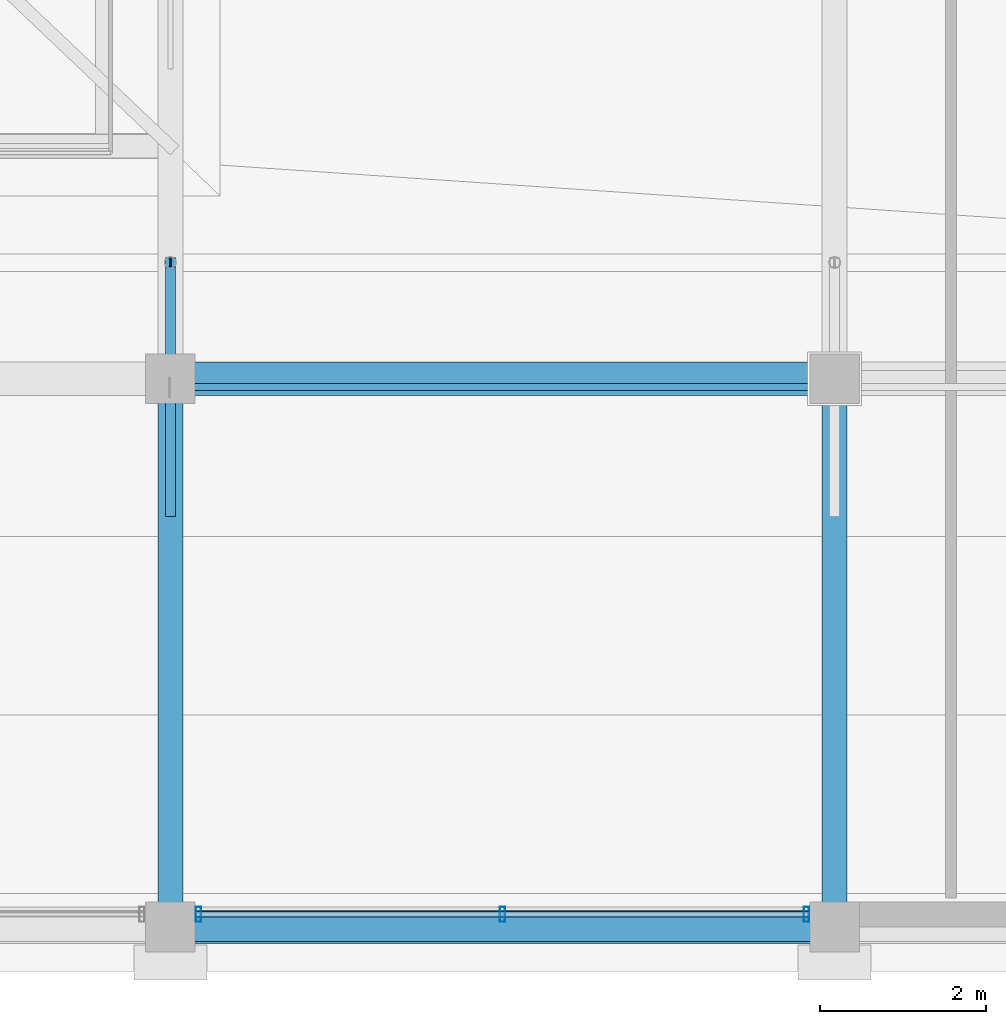
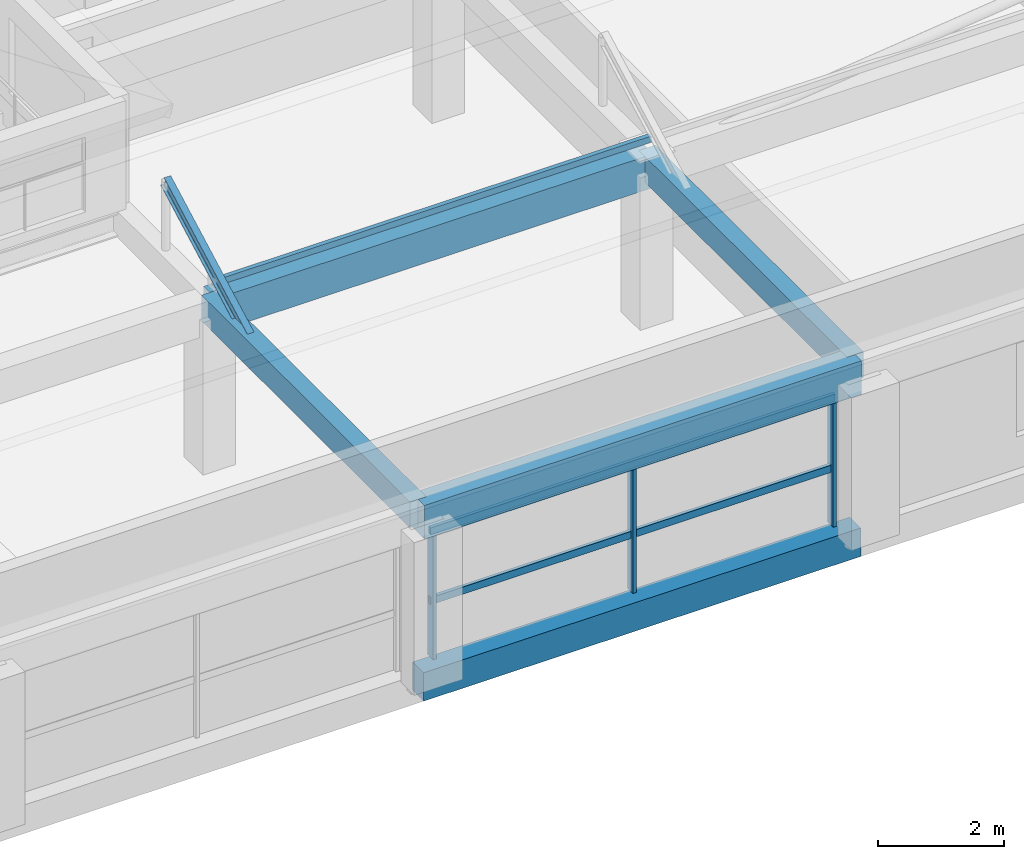
# One storey, part 12 of 39: 7 members, 5 beams, 1 element without a shape of its own.
"""IFC4 building model written with IfcOpenShell, lengths in metres."""

from ifc_helpers import new_model, si_unit, direction, frame, origin, origin_2d, place, context, subcontext, project, spatial, rectangle, hollow_rectangle, i_section, extrude, material, material_profile, profile_set, type_object, element, aggregate, save


model = new_model("IFC4")

# Units and contexts
model_context = context("Model", 3, precision=1e-05, world=origin(), true_north=direction((0.0, 1.0)))
body_context = subcontext(model_context, "Body", "Model", "MODEL_VIEW")
ifc_project = project(units=[si_unit("LENGTHUNIT", "METRE"), si_unit("AREAUNIT", "SQUARE_METRE"), si_unit("VOLUMEUNIT", "CUBIC_METRE"), si_unit("PLANEANGLEUNIT", "RADIAN"), si_unit("MASSUNIT", "GRAM", prefix="KILO")], contexts=[model_context])

# Site, building, storey
site_placement = place(None, origin())
site = spatial("IfcSite", under=ifc_project, at=site_placement, CompositionType="ELEMENT")
building_placement = place(site_placement, origin())
building = spatial("IfcBuilding", under=site, at=building_placement, Name="Akrevak Sports Hall", CompositionType="ELEMENT")
storey_placement = place(building_placement, frame((0.0, 0.0, 66.550048828125)))
storey = spatial("IfcBuildingStorey", under=building, at=storey_placement, Name="L17", CompositionType="ELEMENT", Elevation=66.550048828125)

# Curtain wall, members
ifc_material_1 = material(Name="Anodized Bronze Aluminium & Low-E Glass", Category="aluminium")
curtain_wall_type = type_object("IfcCurtainWallType", Name="ARC-CW-TWR-68x30", PredefinedType="NOTDEFINED", material=ifc_material_1)
curtain_wall_placement = place(storey_placement, origin())
curtain_wall = element("IfcCurtainWall", 1, at=curtain_wall_placement, inside=storey, type_object=curtain_wall_type, Name="Curtain Wall CW-L17-S05", PredefinedType="NOTDEFINED")
ifc_material_2 = material(Name="Anodized Bronze Aluminium", Category="aluminium")
ifc_material_profile_1 = material_profile(ifc_material_2, hollow_rectangle(XDim=0.06494140625, YDim=0.179931640625, WallThickness=0.00390625, at=origin_2d()), Name="CWM 65x180", Category="aluminium")
ifc_profile_set_1 = profile_set([ifc_material_profile_1], Name="Anodized Bronze Aluminium")
member_type_1 = type_object("IfcMemberType", Name="ARC-CWM-65x140", PredefinedType="MULLION", material=ifc_profile_set_1)
member_1_placement = place(storey_placement, frame((84.340087890625, 35.550048828125, 0.0), z_axis=(0.0, 0.0, 1.0), x_axis=(1.0, 0.0, 0.0)))
member_1 = element("IfcMember", 2, at=member_1_placement, type_object=member_type_1, Name="Curtain Wall Mullion CW-L17-S05-M1", PredefinedType="MULLION", context=body_context, shape_type="SweptSolid", body=[
    extrude(hollow_rectangle(XDim=0.06494140625, YDim=0.179931640625, WallThickness=0.00390625, at=origin_2d()), origin(), (0.0, 0.0, 1.0), 2.530029296875),
])
member_2_placement = place(storey_placement, frame((88.0, 35.550048828125, 0.0), z_axis=(0.0, 0.0, 1.0), x_axis=(1.0, 0.0, 0.0)))
member_2 = element("IfcMember", 3, at=member_2_placement, type_object=member_type_1, Name="Curtain Wall Mullion CW-L17-S05-M2", PredefinedType="MULLION", context=body_context, shape_type="SweptSolid", body=[
    extrude(hollow_rectangle(XDim=0.06494140625, YDim=0.179931640625, WallThickness=0.00390625, at=origin_2d()), origin(), (0.0, 0.0, 1.0), 2.530029296875),
])
member_3_placement = place(storey_placement, frame((91.659912109375, 35.550048828125, 0.0), z_axis=(0.0, 0.0, 1.0), x_axis=(1.0, 0.0, 0.0)))
member_3 = element("IfcMember", 4, at=member_3_placement, type_object=member_type_1, Name="Curtain Wall Mullion CW-L17-S05-M3", PredefinedType="MULLION", context=body_context, shape_type="SweptSolid", body=[
    extrude(hollow_rectangle(XDim=0.06494140625, YDim=0.179931640625, WallThickness=0.00390625, at=origin_2d()), origin(), (0.0, 0.0, 1.0), 2.530029296875),
])
ifc_material_profile_2 = material_profile(ifc_material_2, hollow_rectangle(XDim=0.06494140625, YDim=0.139892578125, WallThickness=0.00390625, at=origin_2d()), Name="CWT 65x140", Category="aluminium")
ifc_profile_set_2 = profile_set([ifc_material_profile_2], Name="Anodized Bronze Aluminium")
member_type_2 = type_object("IfcMemberType", Name="ARC-CWT-65x110", PredefinedType="USERDEFINED", material=ifc_profile_set_2)
member_4_placement = place(storey_placement, frame((84.300048828125, 35.550048828125, 1.099853515625), z_axis=(1.0, 0.0, 0.0), x_axis=(0.0, 1.0, 0.0)))
member_4 = element("IfcMember", 5, at=member_4_placement, type_object=member_type_2, Name="Curtain Wall Transom CW-L17-S05-T1", ObjectType="TRANSOM", PredefinedType="USERDEFINED", context=body_context, shape_type="SweptSolid", body=[
    extrude(hollow_rectangle(XDim=0.06494140625, YDim=0.139892578125, WallThickness=0.00390625, at=origin_2d()), origin(), (0.0, 0.0, 1.0), 7.39990234375),
])
member_5_placement = place(storey_placement, frame((84.300048828125, 35.550048828125, 2.449951171875), z_axis=(1.0, 0.0, 0.0), x_axis=(0.0, 1.0, 0.0)))
member_5 = element("IfcMember", 6, at=member_5_placement, type_object=member_type_2, Name="Curtain Wall Transom CW-L17-S05-T2", ObjectType="TRANSOM", PredefinedType="USERDEFINED", context=body_context, shape_type="SweptSolid", body=[
    extrude(hollow_rectangle(XDim=0.06494140625, YDim=0.139892578125, WallThickness=0.00390625, at=origin_2d()), origin(), (0.0, 0.0, 1.0), 7.39990234375),
])
aggregate(curtain_wall, [member_1, member_2, member_3, member_4, member_5])

# Beams
ifc_material_3 = material(Name="Concrete C40/50", Category="concrete")
ifc_material_profile_3 = material_profile(ifc_material_3, rectangle(XDim=0.300048828125, YDim=0.5, at=origin_2d()), Name="BM 300x500", Category="concrete")
ifc_profile_set_3 = profile_set([ifc_material_profile_3], Name="Concrete C40/50")
beam_type_1 = type_object("IfcBeamType", Name="STR-BM-RC300x500", PredefinedType="BEAM", material=ifc_profile_set_3)
for number, where, z_axis, x_axis, name in (
    (7, (84.0, 35.39990234375, 3.0), (0.0, 1.0, 0.0), (-1.0, 0.0, 0.0), "Girder 12/F-G (ROOF)"),
    (8, (92.0, 35.39990234375, 3.0), (0.0, 1.0, 0.0), (-1.0, 0.0, 0.0), "Girder 13/F-G (ROOF)"),
):
    element("IfcBeam", number, at=place(storey_placement, frame(where, z_axis=z_axis, x_axis=x_axis)), inside=storey, type_object=beam_type_1, Name=name, PredefinedType="BEAM", context=body_context, shape_type="SweptSolid", body=[
        extrude(rectangle(XDim=0.300048828125, YDim=0.5, at=origin_2d()), origin(), (0.0, 0.0, 1.0), 6.60009765625),
    ])
ifc_material_profile_4 = material_profile(ifc_material_3, rectangle(XDim=0.35009765625, YDim=0.550048828125, at=origin_2d()), Name="BM 350x550", Category="concrete")
ifc_profile_set_4 = profile_set([ifc_material_profile_4], Name="Concrete C40/50")
beam_type_2 = type_object("IfcBeamType", Name="STR-BM-RC350x550", PredefinedType="BEAM", material=ifc_profile_set_4)
beam_placement = place(storey_placement, frame((84.0, 35.39990234375, -0.275146484375), z_axis=(1.0, 0.0, 0.0), x_axis=(0.0, 1.0, 0.0)))
element("IfcBeam", 9, at=beam_placement, inside=storey, type_object=beam_type_2, Name="Girder F/12-13 (L17)", PredefinedType="BEAM", context=body_context, shape_type="SweptSolid", body=[
    extrude(rectangle(XDim=0.35009765625, YDim=0.550048828125, at=origin_2d()), origin(), (0.0, 0.0, 1.0), 8.0),
])
ifc_material_profile_5 = material_profile(ifc_material_3, rectangle(XDim=0.39990234375, YDim=0.64990234375, at=origin_2d()), Name="BM 400x650", Category="concrete")
ifc_profile_set_5 = profile_set([ifc_material_profile_5], Name="Concrete C40/50")
beam_type_3 = type_object("IfcBeamType", Name="STR-BM-RC400x650", PredefinedType="BEAM", material=ifc_profile_set_5)
for number, where, z_axis, x_axis, name in (
    (10, (84.0, 35.39990234375, 2.925048828125), (1.0, 0.0, 0.0), (0.0, 1.0, 0.0), "Girder F/12-13 (ROOF)"),
    (11, (84.0, 42.0, 2.925048828125), (1.0, 0.0, 0.0), (0.0, 1.0, 0.0), "Girder G/12-13 (ROOF)"),
):
    element("IfcBeam", number, at=place(storey_placement, frame(where, z_axis=z_axis, x_axis=x_axis)), inside=storey, type_object=beam_type_3, Name=name, PredefinedType="BEAM", context=body_context, shape_type="SweptSolid", body=[
        extrude(rectangle(XDim=0.39990234375, YDim=0.64990234375, at=origin_2d()), origin(), (0.0, 0.0, 1.0), 8.0),
    ])

# Members
ifc_material_4 = material(Name="Steel S355", Category="steel")
ifc_material_profile_6 = material_profile(ifc_material_4, hollow_rectangle(XDim=0.080078125, YDim=0.1201171875, WallThickness=0.00634765625, at=origin_2d()), Name="RHS 120x80x6.3", Category="steel")
ifc_profile_set_6 = profile_set([ifc_material_profile_6], Name="Steel S355")
member_type_3 = type_object("IfcMemberType", Name="STR-MEM-PUR-RHS120", PredefinedType="PURLIN", material=ifc_profile_set_6)
member_6_placement = place(storey_placement, frame((84.0, 41.89990234375, 3.5), z_axis=(1.0, 0.0, 0.0), x_axis=(0.0, 1.0, 0.0)))
element("IfcMember", 12, at=member_6_placement, inside=storey, type_object=member_type_3, Name="Mansard Steel Purlin MANS-E-S-A", PredefinedType="PURLIN", context=body_context, shape_type="SweptSolid", body=[
    extrude(hollow_rectangle(XDim=0.080078125, YDim=0.1201171875, WallThickness=0.00634765625, at=origin_2d()), origin(), (0.0, 0.0, 1.0), 8.0),
])
ifc_material_profile_7 = material_profile(ifc_material_4, i_section(OverallWidth=0.1201171875, OverallDepth=0.239990234375, WebThickness=0.006103515625, FlangeThickness=0.009765625, FilletRadius=0.014892578125, at=origin_2d()), Name="IPE 240", Category="steel")
ifc_profile_set_7 = profile_set([ifc_material_profile_7], Name="Steel S355")
member_type_4 = type_object("IfcMemberType", Name="STR-MEM-RAF-IPE240", PredefinedType="RAFTER", material=ifc_profile_set_7)
member_7_placement = place(storey_placement, frame((84.0, 40.39990234375, 2.949951171875), z_axis=(0.0, 0.879891027325, 0.475175525499), x_axis=(-1.0, 0.0, 0.0)))
element("IfcMember", 13, at=member_7_placement, inside=storey, type_object=member_type_4, Name="Mansard Steel Rafter MANS-E-S-84", PredefinedType="RAFTER", context=body_context, shape_type="SweptSolid", body=[
    extrude(i_section(OverallWidth=0.1201171875, OverallDepth=0.239990234375, WebThickness=0.006103515625, FlangeThickness=0.009765625, FilletRadius=0.014892578125, at=origin_2d()), origin(), (0.0, 0.0, 1.0), 3.409423828125),
])

save(model, "model.ifc")
